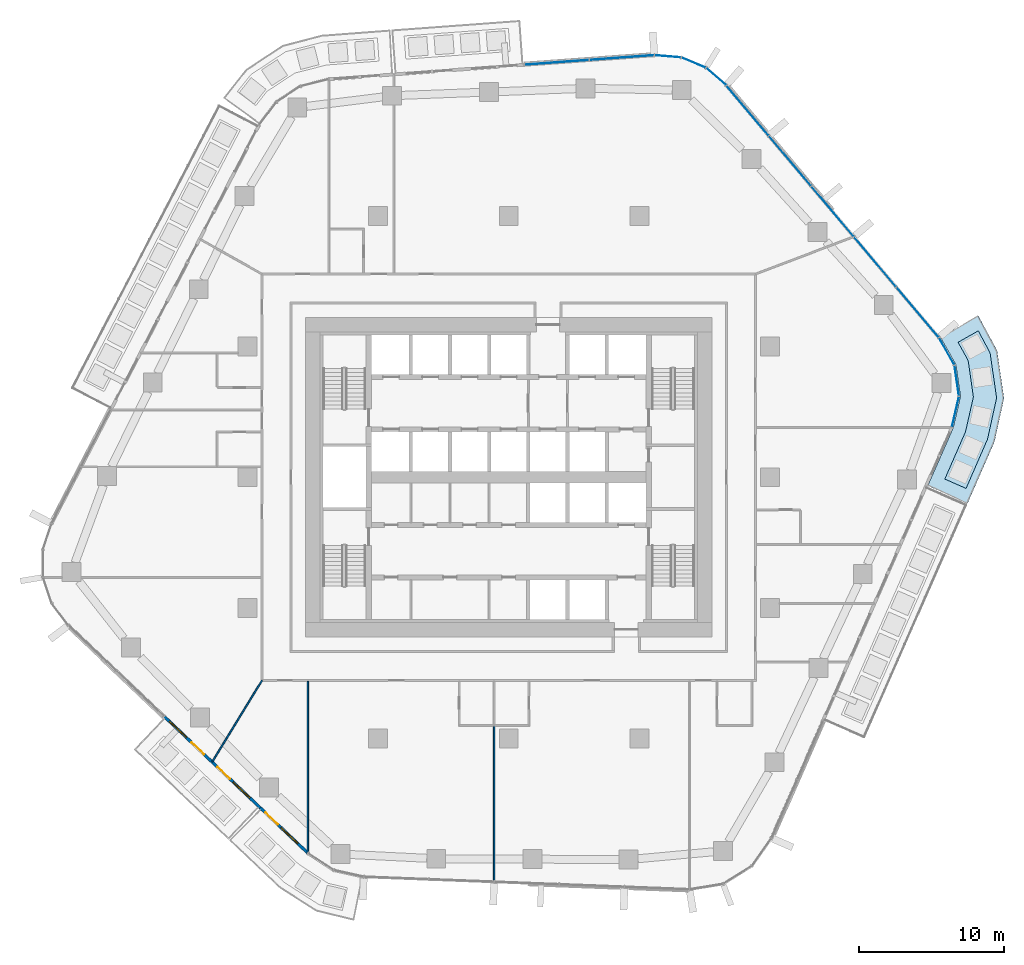
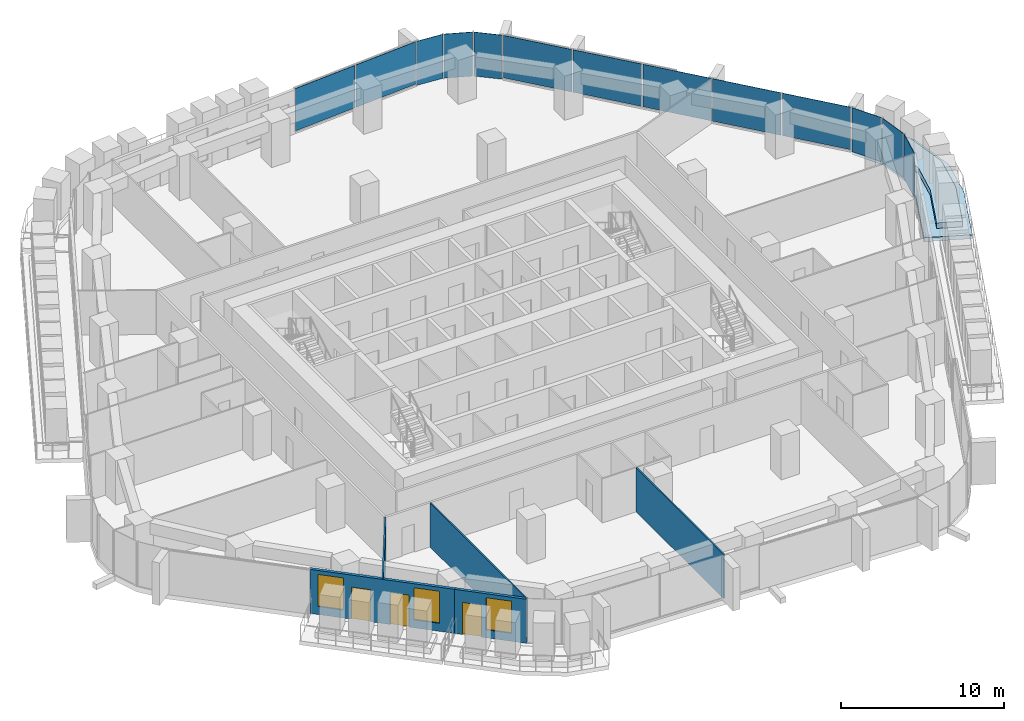
# One storey, part 11 of 23: 13 plates, 5 walls, 3 doors, 3 windows, 2 slabs, 6 openings, 4 elements without a shape of their own.
"""IFC4 building model written with IfcOpenShell, lengths in metres."""

from ifc_helpers import new_model, si_unit, direction, frame, frame_2d, origin, origin_2d, place, context, subcontext, project, spatial, polyline, rectangle, outline, extrude, material, layer, layer_set, type_object, element, fill, aggregate, save


model = new_model("IFC4")

# Units and contexts
model_context = context("Model", 3, precision=1e-05, world=origin(), true_north=direction((0.0, 1.0)))
body_context = subcontext(model_context, "Body", "Model", "MODEL_VIEW")
ifc_project = project(units=[si_unit("LENGTHUNIT", "METRE"), si_unit("AREAUNIT", "SQUARE_METRE"), si_unit("VOLUMEUNIT", "CUBIC_METRE"), si_unit("PLANEANGLEUNIT", "RADIAN"), si_unit("MASSUNIT", "GRAM", prefix="KILO")], contexts=[model_context])

# Site, building, storey
site_placement = place(None, origin())
site = spatial("IfcSite", under=ifc_project, at=site_placement, CompositionType="ELEMENT")
building_placement = place(site_placement, origin())
building = spatial("IfcBuilding", under=site, at=building_placement, Name="Dongbaek Canopy Tower", CompositionType="ELEMENT")
storey_placement = place(building_placement, frame((0.0, 0.0, 135.89990234375)))
storey = spatial("IfcBuildingStorey", under=building, at=storey_placement, Name="L30", CompositionType="ELEMENT", Elevation=135.89990234375)

# Slab
ifc_material_1 = material(Name="Concrete C40/50", Category="concrete")
ifc_layer_1 = layer(ifc_material_1, 0.300048828125)
ifc_layer_set_1 = layer_set([ifc_layer_1], Name="Balcony slab 300")
slab_type_1 = type_object("IfcSlabType", Name="Balcony slab 300", PredefinedType="FLOOR", material=ifc_layer_set_1)
slab_1_placement = place(storey_placement, frame((0.0, 0.0, -0.2998046875)))
element("IfcSlab", 1, at=slab_1_placement, inside=storey, type_object=slab_type_1, Name="Balcony L30 5", PredefinedType="FLOOR", context=body_context, shape_type="SweptSolid", body=[
    extrude(outline(polyline([(28.871337890625, -0.593505859375), (30.62841796875, 3.40673828125), (31.129638671875, 5.565673828125), (30.81298828125, 7.759033203125), (29.746337890625, 9.64453125), (32.357421875, 11.121826171875), (33.652099609375, 8.728759765625), (34.126953125, 5.4384765625), (33.475341796875, 2.460205078125), (31.617919921875, -1.800048828125), (28.871337890625, -0.593505859375)])), origin(), (0.0, 0.0, 1.0), 0.2998046875),
])

# Curtain wall, plates
ifc_material_2 = material(Name="Aluminium 6063-T6 pale anodised", Category="aluminium")
ifc_layer_2 = layer(ifc_material_2, 0.199951171875)
ifc_layer_set_2 = layer_set([ifc_layer_2], Name="CW-1 unitised tower curtain wall")
curtain_wall_type = type_object("IfcCurtainWallType", Name="CW-1 unitised tower curtain wall", PredefinedType="NOTDEFINED", material=ifc_layer_set_2)
curtain_wall_1_placement = place(storey_placement, origin())
curtain_wall_1 = element("IfcCurtainWall", 2, at=curtain_wall_1_placement, inside=storey, type_object=curtain_wall_type, Name="CW-1 curtain wall K0.1", PredefinedType="NOTDEFINED")
ifc_material_3 = material(Name="Clear laminated glass", Category="glass")
ifc_layer_3 = layer(ifc_material_3, 0.028076171875)
ifc_layer_set_3 = layer_set([ifc_layer_3], Name="CW-1 glazed panel 28")
plate_type = type_object("IfcPlateType", Name="CW-1 glazed panel 28", PredefinedType="CURTAIN_PANEL", material=ifc_layer_set_3)
plate_1_placement = place(storey_placement, frame((30.780517578125, 4.504150390625, 0.0), z_axis=(0.0, 0.0, 1.0), x_axis=(0.226165577778, 0.974088872449, 0.0)))
plate_1 = element("IfcPlate", 3, at=plate_1_placement, type_object=plate_type, Name="CW-1 panel K0.1.1.1", PredefinedType="CURTAIN_PANEL", context=body_context, shape_type="SweptSolid", body=[
    extrude(rectangle(XDim=2.104248046875, YDim=0.028076171875, at=origin_2d()), origin(), (0.0, 0.0, 1.0), 3.300048828125),
])
plate_2_placement = place(storey_placement, frame((30.872314453125, 6.64794921875, 0.0), z_axis=(0.0, 0.0, 1.0), x_axis=(-0.142875742295, 0.989740633835, 0.0)))
plate_2 = element("IfcPlate", 4, at=plate_2_placement, type_object=plate_type, Name="CW-1 panel K0.1.2.1", PredefinedType="CURTAIN_PANEL", context=body_context, shape_type="SweptSolid", body=[
    extrude(rectangle(XDim=2.0947265625, YDim=0.028076171875, at=origin_2d()), origin(), (0.0, 0.0, 1.0), 3.300048828125),
])
plate_3_placement = place(storey_placement, frame((30.177978515625, 8.678466796875, 0.0), z_axis=(0.0, 0.0, 1.0), x_axis=(-0.492423599933, 0.870355673405, 0.0)))
plate_3 = element("IfcPlate", 5, at=plate_3_placement, type_object=plate_type, Name="CW-1 panel K0.1.3.1", PredefinedType="CURTAIN_PANEL", context=body_context, shape_type="SweptSolid", body=[
    extrude(rectangle(XDim=2.104248046875, YDim=0.028076171875, at=origin_2d()), origin(), (0.0, 0.0, 1.0), 3.300048828125),
])
aggregate(curtain_wall_1, [plate_1, plate_2, plate_3])

curtain_wall_2_placement = place(storey_placement, origin())
curtain_wall_2 = element("IfcCurtainWall", 6, at=curtain_wall_2_placement, inside=storey, type_object=curtain_wall_type, Name="CW-1 curtain wall F0.1", PredefinedType="NOTDEFINED")
plate_4_placement = place(storey_placement, frame((28.1767578125, 11.36474609375, 0.1201171875), z_axis=(0.0, 0.0, 1.0), x_axis=(-0.644695650519, 0.764439348936, 0.0)))
plate_4 = element("IfcPlate", 7, at=plate_4_placement, type_object=plate_type, Name="CW-1 panel F0.1.1.1", PredefinedType="CURTAIN_PANEL", context=body_context, shape_type="SweptSolid", body=[
    extrude(rectangle(XDim=4.453125, YDim=0.028076171875, at=origin_2d()), origin(), (0.0, 0.0, 1.0), 3.179931640625),
])
plate_5_placement = place(storey_placement, frame((25.248779296875, 14.836669921875, 0.1201171875), z_axis=(0.0, 0.0, 1.0), x_axis=(-0.644695650519, 0.764439348936, 0.0)))
plate_5 = element("IfcPlate", 8, at=plate_5_placement, type_object=plate_type, Name="CW-1 panel F0.1.2.1", PredefinedType="CURTAIN_PANEL", context=body_context, shape_type="SweptSolid", body=[
    extrude(rectangle(XDim=4.46240234375, YDim=0.028076171875, at=origin_2d()), origin(), (0.0, 0.0, 1.0), 3.179931640625),
])
plate_6_placement = place(storey_placement, frame((22.317626953125, 18.312255859375, 0.1201171875), z_axis=(0.0, 0.0, 1.0), x_axis=(-0.644695650519, 0.764439348936, 0.0)))
plate_6 = element("IfcPlate", 9, at=plate_6_placement, type_object=plate_type, Name="CW-1 panel F0.1.3.1", PredefinedType="CURTAIN_PANEL", context=body_context, shape_type="SweptSolid", body=[
    extrude(rectangle(XDim=4.46240234375, YDim=0.028076171875, at=origin_2d()), origin(), (0.0, 0.0, 1.0), 3.179931640625),
])
plate_7_placement = place(storey_placement, frame((19.38671875, 21.78759765625, 0.1201171875), z_axis=(0.0, 0.0, 1.0), x_axis=(-0.644695650519, 0.764439348936, 0.0)))
plate_7 = element("IfcPlate", 10, at=plate_7_placement, type_object=plate_type, Name="CW-1 panel F0.1.4.1", PredefinedType="CURTAIN_PANEL", context=body_context, shape_type="SweptSolid", body=[
    extrude(rectangle(XDim=4.46240234375, YDim=0.028076171875, at=origin_2d()), origin(), (0.0, 0.0, 1.0), 3.179931640625),
])
plate_8_placement = place(storey_placement, frame((16.4580078125, 25.260009765625, 0.1201171875), z_axis=(0.0, 0.0, 1.0), x_axis=(-0.644695650519, 0.764439348936, 0.0)))
plate_8 = element("IfcPlate", 11, at=plate_8_placement, type_object=plate_type, Name="CW-1 panel F0.1.5.1", PredefinedType="CURTAIN_PANEL", context=body_context, shape_type="SweptSolid", body=[
    extrude(rectangle(XDim=4.45458984375, YDim=0.028076171875, at=origin_2d()), origin(), (0.0, 0.0, 1.0), 3.179931640625),
])
aggregate(curtain_wall_2, [plate_4, plate_5, plate_6, plate_7, plate_8])

curtain_wall_3_placement = place(storey_placement, origin())
curtain_wall_3 = element("IfcCurtainWall", 12, at=curtain_wall_3_placement, inside=storey, type_object=curtain_wall_type, Name="CW-1 curtain wall K1.1", PredefinedType="NOTDEFINED")
plate_9_placement = place(storey_placement, frame((14.29296875, 27.601806640625, 0.0), z_axis=(0.0, 0.0, 1.0), x_axis=(-0.756482468173, 0.654013971829, 0.0)))
plate_9 = element("IfcPlate", 13, at=plate_9_placement, type_object=plate_type, Name="CW-1 panel K1.1.1.1", PredefinedType="CURTAIN_PANEL", context=body_context, shape_type="SweptSolid", body=[
    extrude(rectangle(XDim=1.77197265625, YDim=0.028076171875, at=origin_2d()), origin(), (0.0, 0.0, 1.0), 3.300048828125),
])
plate_10_placement = place(storey_placement, frame((12.7392578125, 28.567138671875, 0.0), z_axis=(0.0, 0.0, 1.0), x_axis=(-0.921724446856, 0.387845386807, 0.0)))
plate_10 = element("IfcPlate", 14, at=plate_10_placement, type_object=plate_type, Name="CW-1 panel K1.1.2.1", PredefinedType="CURTAIN_PANEL", context=body_context, shape_type="SweptSolid", body=[
    extrude(rectangle(XDim=1.763916015625, YDim=0.028076171875, at=origin_2d()), origin(), (0.0, 0.0, 1.0), 3.300048828125),
])
plate_11_placement = place(storey_placement, frame((10.962890625, 29.0029296875, 0.0), z_axis=(0.0, 0.0, 1.0), x_axis=(-0.996498593, 0.08360953384, 0.0)))
plate_11 = element("IfcPlate", 15, at=plate_11_placement, type_object=plate_type, Name="CW-1 panel K1.1.3.1", PredefinedType="CURTAIN_PANEL", context=body_context, shape_type="SweptSolid", body=[
    extrude(rectangle(XDim=1.77197265625, YDim=0.028076171875, at=origin_2d()), origin(), (0.0, 0.0, 1.0), 3.300048828125),
])
aggregate(curtain_wall_3, [plate_9, plate_10, plate_11])

curtain_wall_4_placement = place(storey_placement, origin())
curtain_wall_4 = element("IfcCurtainWall", 16, at=curtain_wall_4_placement, inside=storey, type_object=curtain_wall_type, Name="CW-1 curtain wall F1.1", PredefinedType="NOTDEFINED")
plate_12_placement = place(storey_placement, frame((7.796875, 28.915283203125, 0.1201171875), z_axis=(0.0, 0.0, 1.0), x_axis=(-0.997293805344, -0.073519152761, 0.0)))
plate_12 = element("IfcPlate", 17, at=plate_12_placement, type_object=plate_type, Name="CW-1 panel F1.1.1.1", PredefinedType="CURTAIN_PANEL", context=body_context, shape_type="SweptSolid", body=[
    extrude(rectangle(XDim=4.410888671875, YDim=0.028076171875, at=origin_2d()), origin(), (0.0, 0.0, 1.0), 3.179931640625),
])
plate_13_placement = place(storey_placement, frame((3.31005859375, 28.584716796875, 0.1201171875), z_axis=(0.0, 0.0, 1.0), x_axis=(-0.997293805344, -0.073519152761, 0.0)))
plate_13 = element("IfcPlate", 18, at=plate_13_placement, type_object=plate_type, Name="CW-1 panel F1.1.2.1", PredefinedType="CURTAIN_PANEL", context=body_context, shape_type="SweptSolid", body=[
    extrude(rectangle(XDim=4.418701171875, YDim=0.028076171875, at=origin_2d()), origin(), (0.0, 0.0, 1.0), 3.179931640625),
])
aggregate(curtain_wall_4, [plate_12, plate_13])

# Slab
ifc_material_4 = material(Name="Reinforced concrete C40/50 planter box with soil", Category="concrete")
ifc_layer_4 = layer(ifc_material_4, 0.419921875)
ifc_layer_set_4 = layer_set([ifc_layer_4], Name="Terrace planter box 1600 x 420")
slab_type_2 = type_object("IfcSlabType", Name="Terrace planter box 1600 x 420", PredefinedType="USERDEFINED", material=ifc_layer_set_4)
slab_2_placement = place(storey_placement, origin())
element("IfcSlab", 19, at=slab_2_placement, inside=storey, type_object=slab_type_2, Name="Balcony planter L30 5", ObjectType="PLANTER", PredefinedType="USERDEFINED", context=body_context, shape_type="SweptSolid", body=[
    extrude(outline(polyline([(30.048095703125, -0.12744140625), (31.472900390625, 3.1259765625), (32.018798828125, 5.52783203125), (31.6552734375, 8.046630859375), (30.964111328125, 9.29931640625), (32.356689453125, 10.08740234375), (33.16943359375, 8.56396484375), (33.617431640625, 5.4599609375), (32.9912109375, 2.62109375), (31.512939453125, -0.77099609375), (30.048095703125, -0.12744140625)])), origin(), (0.0, 0.0, 1.0), 0.420166015625),
])

# Walls
ifc_material_5 = material(Name="Gypsum board partition, steel stud, 2 x 12.5 mm board", Category="steel")
ifc_layer_5 = layer(ifc_material_5, 0.10009765625)
ifc_layer_set_5 = layer_set([ifc_layer_5], Name="Partition 100 gypsum board")
wall_type_1 = type_object("IfcWallType", Name="Partition 100 gypsum board", PredefinedType="PARTITIONING", material=ifc_layer_set_5)
wall_1_placement = place(storey_placement, frame((-20.42919921875, -19.6083984375, 0.0), z_axis=(0.0, 0.0, 1.0), x_axis=(0.521610739124, 0.853183589171, 0.0)))
element("IfcWall", 20, at=wall_1_placement, inside=storey, type_object=wall_type_1, Name="Partition", PredefinedType="PARTITIONING", context=body_context, shape_type="SweptSolid", body=[
    extrude(rectangle(XDim=6.57373046875, YDim=0.10009765625, at=frame_2d((3.286865234375, 0.0))), origin(), (0.0, 0.0, 1.0), 3.300048828125),
])
wall_2_placement = place(storey_placement, frame((-1.010986328125, -27.85791015625, 0.0), z_axis=(0.0, 0.0, 1.0), x_axis=(0.0, 1.0, 0.0)))
element("IfcWall", 21, at=wall_2_placement, inside=storey, type_object=wall_type_1, Name="Partition", PredefinedType="PARTITIONING", context=body_context, shape_type="SweptSolid", body=[
    extrude(rectangle(XDim=10.7080078125, YDim=0.10009765625, at=frame_2d((5.35400390625, 0.0))), origin(), (0.0, 0.0, 1.0), 3.300048828125),
])
wall_3_placement = place(storey_placement, frame((-13.842041015625, -25.875732421875, 0.0), z_axis=(0.0, 0.0, 1.0), x_axis=(0.0, 1.0, 0.0)))
element("IfcWall", 22, at=wall_3_placement, inside=storey, type_object=wall_type_1, Name="Partition", PredefinedType="PARTITIONING", context=body_context, shape_type="SweptSolid", body=[
    extrude(rectangle(XDim=11.80078125, YDim=0.10009765625, at=frame_2d((5.900390625, 0.0))), origin(), (0.0, 0.0, 1.0), 3.300048828125),
])

# Wall, openings, doors, windows
ifc_material_6 = material(Name="Aluminium window wall", Category="aluminium")
ifc_layer_6 = layer(ifc_material_6, 0.199951171875)
ifc_layer_set_6 = layer_set([ifc_layer_6], Name="Window wall 200")
wall_type_2 = type_object("IfcWallType", Name="Window wall 200", PredefinedType="SOLIDWALL", material=ifc_layer_set_6)
wall_4_placement = place(storey_placement, frame((-23.741455078125, -16.484375, 0.0), z_axis=(0.0, 0.0, 1.0), x_axis=(0.724483683082, -0.689291950445, 0.0)))
wall_4 = element("IfcWall", 23, at=wall_4_placement, inside=storey, type_object=wall_type_2, Name="Window wall L30 3", PredefinedType="SOLIDWALL", context=body_context, shape_type="SweptSolid", body=[
    extrude(rectangle(XDim=9.11572265625, YDim=0.199951171875, at=frame_2d((4.557861328125, 0.0))), origin(), (0.0, 0.0, 1.0), 3.300048828125),
])
opening_1_placement = place(wall_4_placement, frame((0.5, 0.0, 0.60009765625)))
opening_1 = element("IfcOpeningElement", 24, at=opening_1_placement, cuts=wall_4, Name="Opening W1", PredefinedType="OPENING", context=body_context, shape_type="SweptSolid", body=[
    extrude(rectangle(XDim=1.60009765625, YDim=2.39990234375, at=frame_2d((0.800048828125, 1.199951171875))), frame((0.0, 0.10986328125, 0.0), z_axis=(0.0, -1.0, 0.0), x_axis=(1.0, 0.0, 0.0)), (0.0, 0.0, 1.0), 0.219970703125),
])
opening_2_placement = place(wall_4_placement, frame((2.60009765625, 0.0, 0.0)))
opening_2 = element("IfcOpeningElement", 25, at=opening_2_placement, cuts=wall_4, Name="Opening L30-B09", PredefinedType="OPENING", context=body_context, shape_type="SweptSolid", body=[
    extrude(rectangle(XDim=1.199951171875, YDim=2.39990234375, at=frame_2d((0.60009765625, 1.199951171875))), frame((0.0, 0.10986328125, 0.0), z_axis=(0.0, -1.0, 0.0), x_axis=(1.0, 0.0, 0.0)), (0.0, 0.0, 1.0), 0.219970703125),
])
opening_3_placement = place(wall_4_placement, frame((6.557861328125, 0.0, 0.60009765625)))
opening_3 = element("IfcOpeningElement", 26, at=opening_3_placement, cuts=wall_4, Name="Opening W1", PredefinedType="OPENING", context=body_context, shape_type="SweptSolid", body=[
    extrude(rectangle(XDim=1.60009765625, YDim=2.39990234375, at=frame_2d((0.800048828125, 1.199951171875))), frame((0.0, 0.10986328125, 0.0), z_axis=(0.0, -1.0, 0.0), x_axis=(1.0, 0.0, 0.0)), (0.0, 0.0, 1.0), 0.219970703125),
])
opening_4_placement = place(wall_4_placement, frame((5.057861328125, 0.0, 0.0)))
opening_4 = element("IfcOpeningElement", 27, at=opening_4_placement, cuts=wall_4, Name="Opening L30-B10", PredefinedType="OPENING", context=body_context, shape_type="SweptSolid", body=[
    extrude(rectangle(XDim=1.199951171875, YDim=2.39990234375, at=frame_2d((0.60009765625, 1.199951171875))), frame((0.0, 0.10986328125, 0.0), z_axis=(0.0, -1.0, 0.0), x_axis=(1.0, 0.0, 0.0)), (0.0, 0.0, 1.0), 0.219970703125),
])
ifc_material_7 = material(Name="Clear glazing in aluminium frame", Category="aluminium")
door_type = type_object("IfcDoorType", Name="Balcony door BD1 1200 x 2400", OperationType="SLIDING_TO_LEFT", PredefinedType="DOOR", material=ifc_material_7)
door_1_placement = place(opening_2_placement, origin())
door_1 = element("IfcDoor", 28, at=door_1_placement, inside=storey, type_object=door_type, Name="Balcony door L30-B09", OperationType="SLIDING_TO_LEFT", OverallHeight=2.39990234375, OverallWidth=1.199951171875, PredefinedType="DOOR", context=body_context, shape_type="SweptSolid", body=[
    extrude(rectangle(XDim=1.199951171875, YDim=2.39990234375, at=frame_2d((0.60009765625, 1.199951171875))), frame((0.0, 0.02490234375, 0.0), z_axis=(0.0, -1.0, 0.0), x_axis=(1.0, 0.0, 0.0)), (0.0, 0.0, 1.0), 0.050048828125),
])
fill(opening_2, door_1)
door_2_placement = place(opening_4_placement, origin())
door_2 = element("IfcDoor", 29, at=door_2_placement, inside=storey, type_object=door_type, Name="Balcony door L30-B10", OperationType="SLIDING_TO_LEFT", OverallHeight=2.39990234375, OverallWidth=1.199951171875, PredefinedType="DOOR", context=body_context, shape_type="SweptSolid", body=[
    extrude(rectangle(XDim=1.199951171875, YDim=2.39990234375, at=frame_2d((0.60009765625, 1.199951171875))), frame((0.0, 0.02490234375, 0.0), z_axis=(0.0, -1.0, 0.0), x_axis=(1.0, 0.0, 0.0)), (0.0, 0.0, 1.0), 0.050048828125),
])
fill(opening_4, door_2)
ifc_material_8 = material(Name="Clear glazing in aluminium frame", Category="aluminium")
window_type = type_object("IfcWindowType", Name="Window W1 1600 x 2400", PartitioningType="SINGLE_PANEL", PredefinedType="WINDOW", material=ifc_material_8)
window_1_placement = place(opening_1_placement, origin())
window_1 = element("IfcWindow", 30, at=window_1_placement, inside=storey, type_object=window_type, Name="Window L30 3.1", OverallHeight=2.39990234375, OverallWidth=1.60009765625, PartitioningType="SINGLE_PANEL", PredefinedType="WINDOW", context=body_context, shape_type="SweptSolid", body=[
    extrude(rectangle(XDim=1.60009765625, YDim=2.39990234375, at=frame_2d((0.800048828125, 1.199951171875))), frame((0.0, 0.030029296875, 0.0), z_axis=(0.0, -1.0, 0.0), x_axis=(1.0, 0.0, 0.0)), (0.0, 0.0, 1.0), 0.06005859375),
])
fill(opening_1, window_1)
window_2_placement = place(opening_3_placement, origin())
window_2 = element("IfcWindow", 31, at=window_2_placement, inside=storey, type_object=window_type, Name="Window L30 3.2", OverallHeight=2.39990234375, OverallWidth=1.60009765625, PartitioningType="SINGLE_PANEL", PredefinedType="WINDOW", context=body_context, shape_type="SweptSolid", body=[
    extrude(rectangle(XDim=1.60009765625, YDim=2.39990234375, at=frame_2d((0.800048828125, 1.199951171875))), frame((0.0, 0.030029296875, 0.0), z_axis=(0.0, -1.0, 0.0), x_axis=(1.0, 0.0, 0.0)), (0.0, 0.0, 1.0), 0.06005859375),
])
fill(opening_3, window_2)

# Wall, openings, door, window
wall_5_placement = place(storey_placement, frame((-17.13720703125, -22.767822265625, 0.0), z_axis=(0.0, 0.0, 1.0), x_axis=(0.724465880686, -0.689310661257, 0.0)))
wall_5 = element("IfcWall", 32, at=wall_5_placement, inside=storey, type_object=wall_type_2, Name="Window wall L30 7", PredefinedType="SOLIDWALL", context=body_context, shape_type="SweptSolid", body=[
    extrude(rectangle(XDim=4.548828125, YDim=0.199951171875, at=frame_2d((2.2744140625, 0.0))), origin(), (0.0, 0.0, 1.0), 3.300048828125),
])
opening_5_placement = place(wall_5_placement, frame((2.0, 0.0, 0.60009765625)))
opening_5 = element("IfcOpeningElement", 33, at=opening_5_placement, cuts=wall_5, Name="Opening W1", PredefinedType="OPENING", context=body_context, shape_type="SweptSolid", body=[
    extrude(rectangle(XDim=1.60009765625, YDim=2.39990234375, at=frame_2d((0.800048828125, 1.199951171875))), frame((0.0, 0.10986328125, 0.0), z_axis=(0.0, -1.0, 0.0), x_axis=(1.0, 0.0, 0.0)), (0.0, 0.0, 1.0), 0.219970703125),
])
opening_6_placement = place(wall_5_placement, frame((0.5, 0.0, 0.0)))
opening_6 = element("IfcOpeningElement", 34, at=opening_6_placement, cuts=wall_5, Name="Opening L30-B11", PredefinedType="OPENING", context=body_context, shape_type="SweptSolid", body=[
    extrude(rectangle(XDim=1.199951171875, YDim=2.39990234375, at=frame_2d((0.60009765625, 1.199951171875))), frame((0.0, 0.10986328125, 0.0), z_axis=(0.0, -1.0, 0.0), x_axis=(1.0, 0.0, 0.0)), (0.0, 0.0, 1.0), 0.219970703125),
])
door_3_placement = place(opening_6_placement, origin())
door_3 = element("IfcDoor", 35, at=door_3_placement, inside=storey, type_object=door_type, Name="Balcony door L30-B11", OperationType="SLIDING_TO_LEFT", OverallHeight=2.39990234375, OverallWidth=1.199951171875, PredefinedType="DOOR", context=body_context, shape_type="SweptSolid", body=[
    extrude(rectangle(XDim=1.199951171875, YDim=2.39990234375, at=frame_2d((0.60009765625, 1.199951171875))), frame((0.0, 0.02490234375, 0.0), z_axis=(0.0, -1.0, 0.0), x_axis=(1.0, 0.0, 0.0)), (0.0, 0.0, 1.0), 0.050048828125),
])
fill(opening_6, door_3)
window_3_placement = place(opening_5_placement, origin())
window_3 = element("IfcWindow", 36, at=window_3_placement, inside=storey, type_object=window_type, Name="Window L30 7.1", OverallHeight=2.39990234375, OverallWidth=1.60009765625, PartitioningType="SINGLE_PANEL", PredefinedType="WINDOW", context=body_context, shape_type="SweptSolid", body=[
    extrude(rectangle(XDim=1.60009765625, YDim=2.39990234375, at=frame_2d((0.800048828125, 1.199951171875))), frame((0.0, 0.030029296875, 0.0), z_axis=(0.0, -1.0, 0.0), x_axis=(1.0, 0.0, 0.0)), (0.0, 0.0, 1.0), 0.06005859375),
])
fill(opening_5, window_3)

save(model, "model.ifc")
